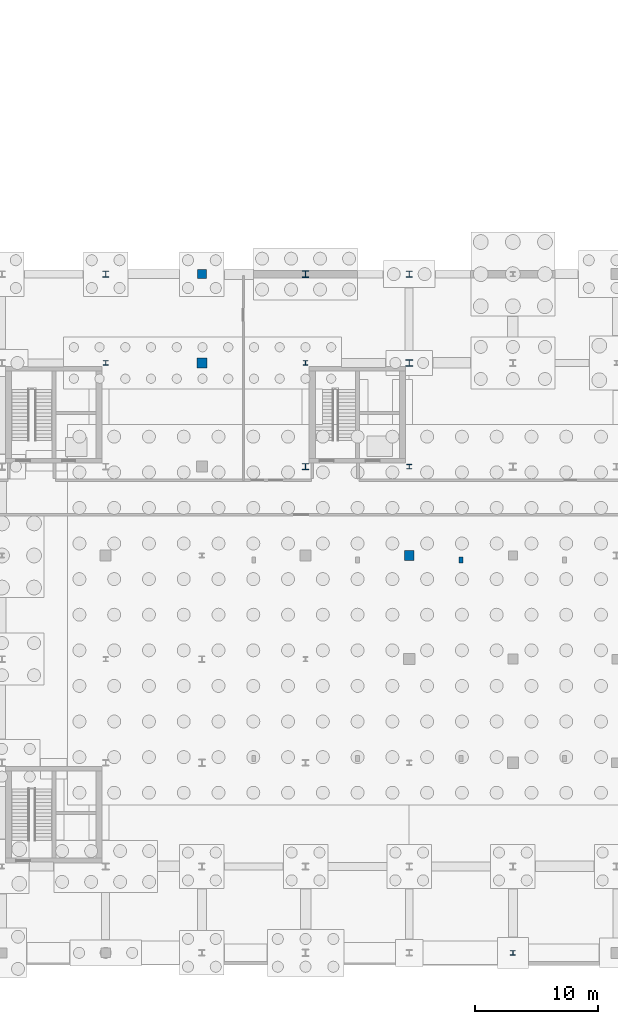
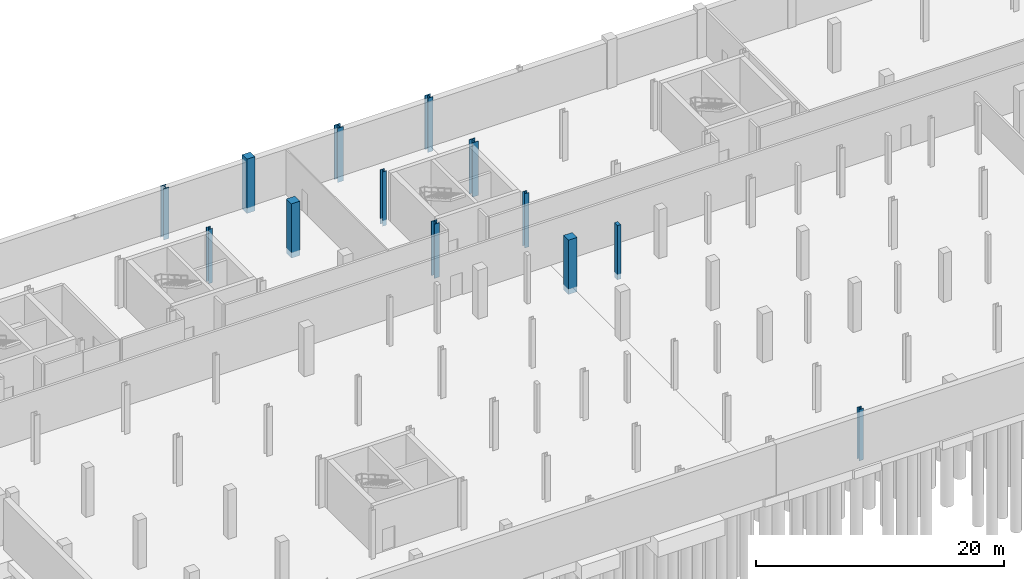
# One storey, part 13 of 32: 13 columns.
"""IFC4 building model written with IfcOpenShell, lengths in metres."""

from ifc_helpers import new_model, si_unit, direction, frame, origin_with_axes, origin_2d_with_axis, place, context, subcontext, project, spatial, rectangle, i_section, extrude, material, material_profile, profile_set, type_object, element, save


model = new_model("IFC4")

# Units and contexts
model_context = context("Model", 3, precision=1e-05, world=origin_with_axes(), true_north=direction((0.0, 1.0)))
body_context = subcontext(model_context, "Body", "Model", "MODEL_VIEW")
ifc_project = project(units=[si_unit("LENGTHUNIT", "METRE"), si_unit("AREAUNIT", "SQUARE_METRE"), si_unit("VOLUMEUNIT", "CUBIC_METRE"), si_unit("PLANEANGLEUNIT", "RADIAN"), si_unit("MASSUNIT", "GRAM", prefix="KILO"), si_unit("THERMODYNAMICTEMPERATUREUNIT", "KELVIN")], contexts=[model_context])

# Site, building, storey
site_placement = place(None, origin_with_axes())
site = spatial("IfcSite", under=ifc_project, at=site_placement, CompositionType="ELEMENT")
building_placement = place(site_placement, origin_with_axes())
building = spatial("IfcBuilding", under=site, at=building_placement, Name="Montbau Bow Law Courts", CompositionType="ELEMENT")
storey_placement = place(building_placement, frame((0.0, 0.0, -4.8), z_axis=(0.0, 0.0, 1.0), x_axis=(1.0, 0.0, 0.0)))
storey = spatial("IfcBuildingStorey", under=building, at=storey_placement, Name="B1", CompositionType="ELEMENT", Elevation=-4.8)

# Columns
ifc_material_1 = material(Name="Concrete CSA A23.1 f'c 40 MPa", Category="concrete")
ifc_material_profile_1 = material_profile(ifc_material_1, rectangle(XDim=0.32, YDim=0.48, at=origin_2d_with_axis()), Name="RC480X320", Category="Main", Priority=0)
ifc_profile_set_1 = profile_set([ifc_material_profile_1], Name="Concrete CSA A23.1 f'c 40 MPa")
column_type_1 = type_object("IfcColumnType", Name="C-PIL-02", PredefinedType="PILASTER", material=ifc_profile_set_1)
column_1_placement = place(None, frame((67.8, 38.65, -5.35), z_axis=(0.0, 0.0, 1.0), x_axis=(1.0, 0.0, 0.0)))
element("IfcColumn", 1, at=column_1_placement, inside=storey, type_object=column_type_1, Name="PL-B1-S11:pil2_0031", PredefinedType="PILASTER", context=body_context, shape_type="SweptSolid", body=[
    extrude(rectangle(XDim=0.32, YDim=0.48, at=origin_2d_with_axis()), origin_with_axes(), (0.0, 0.0, 1.0), 5.35),
])
ifc_material_2 = material(Name="Concrete CSA A23.1 f'c 45 MPa", Category="concrete")
ifc_material_profile_2 = material_profile(ifc_material_2, rectangle(XDim=0.8, YDim=0.8, at=origin_2d_with_axis()), Name="RC800X800", Category="Main", Priority=0)
ifc_profile_set_2 = profile_set([ifc_material_profile_2], Name="Concrete CSA A23.1 f'c 45 MPa")
column_type_2 = type_object("IfcColumnType", Name="C-RC-02", PredefinedType="COLUMN", material=ifc_profile_set_2)
for number, where, z_axis, x_axis, name in (
    (2, (46.8, 54.6, -5.35), (0.0, 0.0, 1.0), (1.0, 0.0, 0.0), "C-B1-S040:col2_0040"),
    (3, (63.6, 39.0, -5.35), (0.0, 0.0, 1.0), (1.0, 0.0, 0.0), "C-B1-S052:col2_0052"),
):
    element("IfcColumn", number, at=place(None, frame(where, z_axis=z_axis, x_axis=x_axis)), inside=storey, type_object=column_type_2, Name=name, PredefinedType="COLUMN", context=body_context, shape_type="SweptSolid", body=[
        extrude(rectangle(XDim=0.8, YDim=0.8, at=origin_2d_with_axis()), origin_with_axes(), (0.0, 0.0, 1.0), 5.35),
    ])
ifc_material_profile_3 = material_profile(ifc_material_1, rectangle(XDim=0.75, YDim=0.75, at=origin_2d_with_axis()), Name="RC750X750", Category="Main", Priority=0)
ifc_profile_set_3 = profile_set([ifc_material_profile_3], Name="Concrete CSA A23.1 f'c 40 MPa")
column_type_3 = type_object("IfcColumnType", Name="C-RC-03", PredefinedType="COLUMN", material=ifc_profile_set_3)
column_2_placement = place(None, frame((46.8, 61.8, -5.35), z_axis=(0.0, 0.0, 1.0), x_axis=(1.0, 0.0, 0.0)))
element("IfcColumn", 4, at=column_2_placement, inside=storey, type_object=column_type_3, Name="C-B1-S041:col2_0041", PredefinedType="COLUMN", context=body_context, shape_type="SweptSolid", body=[
    extrude(rectangle(XDim=0.75, YDim=0.75, at=origin_2d_with_axis()), origin_with_axes(), (0.0, 0.0, 1.0), 5.35),
])
ifc_material_3 = material(Name="Steel CSA G40.21 Grade 350W (350 MPa)", Category="steel")
ifc_material_profile_4 = material_profile(ifc_material_3, i_section(OverallWidth=0.55, OverallDepth=0.55, WebThickness=0.025, FlangeThickness=0.042, at=origin_2d_with_axis()), Name="WWF550X420", Category="Main", Priority=0)
ifc_profile_set_4 = profile_set([ifc_material_profile_4], Name="Steel CSA G40.21 Grade 350W (350 MPa)")
column_type_4 = type_object("IfcColumnType", Name="C-STL-01", PredefinedType="COLUMN", material=ifc_profile_set_4)
for number, where, z_axis, x_axis, name in (
    (5, (55.2, 61.8, -5.35), (0.0, 0.0, 1.0), (1.0, 0.0, 0.0), "C-B1-S048:col2_0048"),
    (6, (63.6, 54.6, -5.35), (0.0, 0.0, 1.0), (1.0, 0.0, 0.0), "C-B1-S054:col2_0054"),
):
    element("IfcColumn", number, at=place(None, frame(where, z_axis=z_axis, x_axis=x_axis)), inside=storey, type_object=column_type_4, Name=name, PredefinedType="COLUMN", context=body_context, shape_type="SweptSolid", body=[
        extrude(i_section(OverallWidth=0.55, OverallDepth=0.55, WebThickness=0.025, FlangeThickness=0.042, at=origin_2d_with_axis()), origin_with_axes(), (0.0, 0.0, 1.0), 5.35),
    ])
ifc_material_profile_5 = material_profile(ifc_material_3, i_section(OverallWidth=0.5, OverallDepth=0.5, WebThickness=0.022, FlangeThickness=0.036, at=origin_2d_with_axis()), Name="WWF500X343", Category="Main", Priority=0)
ifc_profile_set_5 = profile_set([ifc_material_profile_5], Name="Steel CSA G40.21 Grade 350W (350 MPa)")
column_type_5 = type_object("IfcColumnType", Name="C-STL-02", PredefinedType="COLUMN", material=ifc_profile_set_5)
for number, where, z_axis, x_axis, name in (
    (7, (55.2, 46.2, -5.35), (0.0, 0.0, 1.0), (1.0, 0.0, 0.0), "C-B1-S046:col2_0046"),
    (8, (63.6, 61.8, -5.35), (0.0, 0.0, 1.0), (1.0, 0.0, 0.0), "C-B1-S055:col2_0055"),
):
    element("IfcColumn", number, at=place(None, frame(where, z_axis=z_axis, x_axis=x_axis)), inside=storey, type_object=column_type_5, Name=name, PredefinedType="COLUMN", context=body_context, shape_type="SweptSolid", body=[
        extrude(i_section(OverallWidth=0.5, OverallDepth=0.5, WebThickness=0.022, FlangeThickness=0.036, at=origin_2d_with_axis()), origin_with_axes(), (0.0, 0.0, 1.0), 5.35),
    ])
column_3_placement = place(None, frame((39.0, 61.8, -5.35), z_axis=(0.0, 0.0, 1.0), x_axis=(1.0, 0.0, 0.0)))
element("IfcColumn", 9, at=column_3_placement, inside=storey, type_object=column_type_5, Name="C-PLZ-B1-04:col2_1107", PredefinedType="COLUMN", context=body_context, shape_type="SweptSolid", body=[
    extrude(i_section(OverallWidth=0.5, OverallDepth=0.5, WebThickness=0.022, FlangeThickness=0.036, at=origin_2d_with_axis()), origin_with_axes(), (0.0, 0.0, 1.0), 5.06),
])
ifc_material_profile_6 = material_profile(ifc_material_3, i_section(OverallWidth=0.395, OverallDepth=0.38, WebThickness=0.0189, FlangeThickness=0.0302, at=origin_2d_with_axis()), Name="W360X237", Category="Main", Priority=0)
ifc_profile_set_6 = profile_set([ifc_material_profile_6], Name="Steel CSA G40.21 Grade 350W (350 MPa)")
column_type_6 = type_object("IfcColumnType", Name="C-STL-03", PredefinedType="COLUMN", material=ifc_profile_set_6)
for number, where, z_axis, x_axis, name in (
    (10, (39.0, 54.6, -5.35), (0.0, 0.0, 1.0), (1.0, 0.0, 0.0), "C-B1-S035:col2_0035"),
    (11, (55.2, 54.6, -5.35), (0.0, 0.0, 1.0), (1.0, 0.0, 0.0), "C-B1-S047:col2_0047"),
    (12, (63.6, 46.2, -5.35), (0.0, 0.0, 1.0), (1.0, 0.0, 0.0), "C-B1-S053:col2_0053"),
):
    element("IfcColumn", number, at=place(None, frame(where, z_axis=z_axis, x_axis=x_axis)), inside=storey, type_object=column_type_6, Name=name, PredefinedType="COLUMN", context=body_context, shape_type="SweptSolid", body=[
        extrude(i_section(OverallWidth=0.395, OverallDepth=0.38, WebThickness=0.0189, FlangeThickness=0.0302, at=origin_2d_with_axis()), origin_with_axes(), (0.0, 0.0, 1.0), 5.35),
    ])
column_4_placement = place(None, frame((72.0, 6.8, -5.35), z_axis=(0.0, 0.0, 1.0), x_axis=(1.0, 0.0, 0.0)))
element("IfcColumn", 13, at=column_4_placement, inside=storey, type_object=column_type_6, Name="C-B1-S056:col2_0056", PredefinedType="COLUMN", context=body_context, shape_type="SweptSolid", body=[
    extrude(i_section(OverallWidth=0.395, OverallDepth=0.38, WebThickness=0.0189, FlangeThickness=0.0302, at=origin_2d_with_axis()), origin_with_axes(), (0.0, 0.0, 1.0), 5.06),
])

save(model, "model.ifc")
